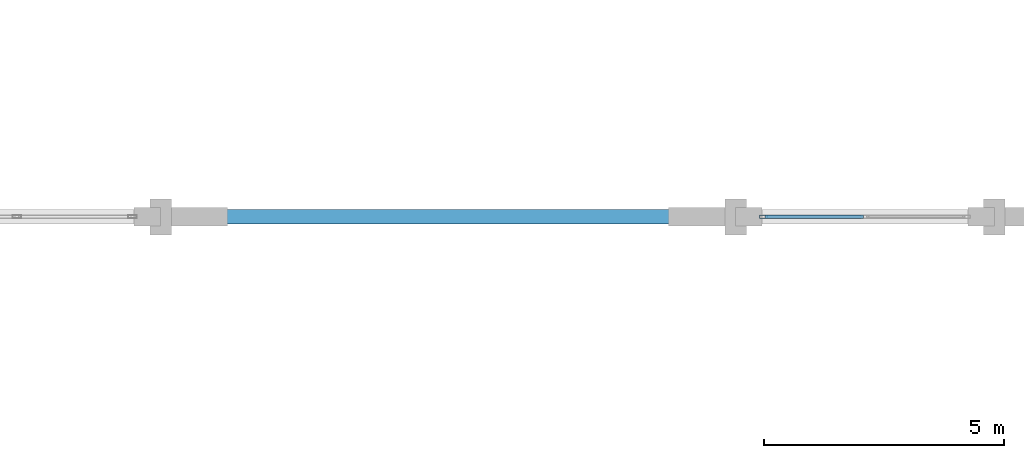
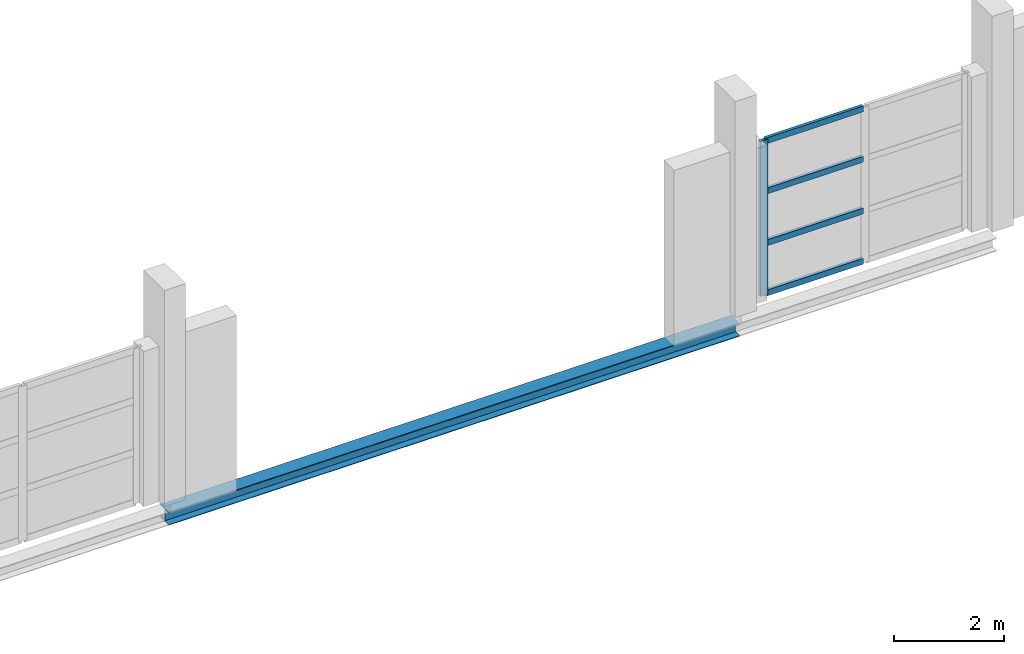
# One storey, part 22 of 86: 5 members, 1 beam, 1 element without a shape of its own.
"""IFC4 building model written with IfcOpenShell, lengths in metres."""

from ifc_helpers import new_model, si_unit, direction, frame, origin, origin_2d, place, context, subcontext, project, spatial, hollow_rectangle, i_section, extrude, material, layer, layer_set, material_profile, profile_set, type_object, element, aggregate, save


model = new_model("IFC4")

# Units and contexts
model_context = context("Model", 3, precision=1e-05, world=origin(), true_north=direction((0.0, 1.0)))
body_context = subcontext(model_context, "Body", "Model", "MODEL_VIEW")
ifc_project = project(units=[si_unit("LENGTHUNIT", "METRE"), si_unit("AREAUNIT", "SQUARE_METRE"), si_unit("VOLUMEUNIT", "CUBIC_METRE"), si_unit("PLANEANGLEUNIT", "RADIAN"), si_unit("MASSUNIT", "GRAM", prefix="KILO")], contexts=[model_context])

# Site, building, storey
site_placement = place(None, origin())
site = spatial("IfcSite", under=ifc_project, at=site_placement, CompositionType="ELEMENT")
building_placement = place(site_placement, origin())
building = spatial("IfcBuilding", under=site, at=building_placement, Name="Zilviju Railside Exhibition Hall", CompositionType="ELEMENT")
storey_placement = place(building_placement, frame((0.0, 0.0, 12.60009765625)))
storey = spatial("IfcBuildingStorey", under=building, at=storey_placement, Name="L04", CompositionType="ELEMENT", Elevation=12.60009765625)

# Beam
ifc_material_1 = material(Name="Steel S355J2", Category="steel")
ifc_material_profile_1 = material_profile(ifc_material_1, i_section(OverallWidth=0.300048828125, OverallDepth=0.2900390625, WebThickness=0.008544921875, FlangeThickness=0.013916015625, at=origin_2d()), Name="HEA 300")
ifc_profile_set_1 = profile_set([ifc_material_profile_1], Name="Steel S355J2")
beam_type = type_object("IfcBeamType", Name="BM-HEA300", PredefinedType="SPANDREL", material=ifc_profile_set_1)
beam_placement = place(storey_placement, frame((108.0, 84.0, -0.485107421875), z_axis=(1.0, 0.0, 0.0), x_axis=(0.0, 1.0, 0.0)))
element("IfcBeam", 1, at=beam_placement, inside=storey, type_object=beam_type, Name="Primary Girder L04 Y=84.0 (108.0..120.0)", PredefinedType="SPANDREL", context=body_context, shape_type="SweptSolid", body=[
    extrude(i_section(OverallWidth=0.300048828125, OverallDepth=0.2900390625, WebThickness=0.008544921875, FlangeThickness=0.013916015625, at=origin_2d()), origin(), (0.0, 0.0, 1.0), 12.0),
])

# Curtain wall, members
ifc_material_2 = material(Name="Thermally broken aluminium-steel triple-glazed curtain wall", Category="steel")
ifc_layer = layer(ifc_material_2, 0.179931640625)
ifc_layer_set = layer_set([ifc_layer], Name="Thermally broken aluminium-steel triple-glazed curtain wall")
curtain_wall_type = type_object("IfcCurtainWallType", Name="CW-BAY-12", PredefinedType="USERDEFINED", material=ifc_layer_set)
curtain_wall_placement = place(storey_placement, origin())
curtain_wall = element("IfcCurtainWall", 2, at=curtain_wall_placement, inside=storey, type_object=curtain_wall_type, Name="North Hall Garden Court Curtain Wall L04 (120..125)", ObjectType="GLAZED CURTAIN WALL", PredefinedType="USERDEFINED")
ifc_material_3 = material(Name="Thermally broken anodized aluminium mullion", Category="aluminium")
ifc_material_profile_2 = material_profile(ifc_material_3, hollow_rectangle(XDim=0.06494140625, YDim=0.159912109375, WallThickness=0.0048828125, at=origin_2d()), Name="MULLION 160x65x5")
ifc_profile_set_2 = profile_set([ifc_material_profile_2], Name="Thermally broken anodized aluminium mullion")
member_type_1 = type_object("IfcMemberType", Name="CWM-65x160", PredefinedType="MULLION", material=ifc_profile_set_2)
member_1_placement = place(storey_placement, frame((120.58251953125, 84.0, 0.0), z_axis=(0.0, 0.0, 1.0), x_axis=(0.0, -1.0, 0.0)))
member_1 = element("IfcMember", 3, at=member_1_placement, type_object=member_type_1, Name="CW-12 mullion 3", PredefinedType="MULLION", context=body_context, shape_type="SweptSolid", body=[
    extrude(hollow_rectangle(XDim=0.06494140625, YDim=0.159912109375, WallThickness=0.0048828125, at=origin_2d()), origin(), (0.0, 0.0, 1.0), 3.449951171875),
])
ifc_material_4 = material(Name="Thermally broken anodized aluminium transom", Category="aluminium")
ifc_material_profile_3 = material_profile(ifc_material_4, hollow_rectangle(XDim=0.06494140625, YDim=0.1298828125, WallThickness=0.0048828125, at=origin_2d()), Name="TRANSOM 130x65x5")
ifc_profile_set_3 = profile_set([ifc_material_profile_3], Name="Thermally broken anodized aluminium transom")
member_type_2 = type_object("IfcMemberType", Name="CWT-65x130", PredefinedType="USERDEFINED", material=ifc_profile_set_3)
member_2_placement = place(storey_placement, frame((122.66748046875, 84.0, 0.032470703125), z_axis=(-1.0, 0.0, 0.0), x_axis=(0.0, -1.0, 0.0)))
member_2 = element("IfcMember", 4, at=member_2_placement, type_object=member_type_2, Name="CW-12 transom 2.1", ObjectType="TRANSOM", PredefinedType="USERDEFINED", context=body_context, shape_type="SweptSolid", body=[
    extrude(hollow_rectangle(XDim=0.06494140625, YDim=0.1298828125, WallThickness=0.0048828125, at=origin_2d()), origin(), (0.0, 0.0, 1.0), 2.052490234375),
])
member_3_placement = place(storey_placement, frame((122.66748046875, 84.0, 1.14990234375), z_axis=(-1.0, 0.0, 0.0), x_axis=(0.0, -1.0, 0.0)))
member_3 = element("IfcMember", 5, at=member_3_placement, type_object=member_type_2, Name="CW-12 transom 2.2", ObjectType="TRANSOM", PredefinedType="USERDEFINED", context=body_context, shape_type="SweptSolid", body=[
    extrude(hollow_rectangle(XDim=0.06494140625, YDim=0.1298828125, WallThickness=0.0048828125, at=origin_2d()), origin(), (0.0, 0.0, 1.0), 2.052490234375),
])
member_4_placement = place(storey_placement, frame((122.66748046875, 84.0, 2.2998046875), z_axis=(-1.0, 0.0, 0.0), x_axis=(0.0, -1.0, 0.0)))
member_4 = element("IfcMember", 6, at=member_4_placement, type_object=member_type_2, Name="CW-12 transom 2.3", ObjectType="TRANSOM", PredefinedType="USERDEFINED", context=body_context, shape_type="SweptSolid", body=[
    extrude(hollow_rectangle(XDim=0.06494140625, YDim=0.1298828125, WallThickness=0.0048828125, at=origin_2d()), origin(), (0.0, 0.0, 1.0), 2.052490234375),
])
member_5_placement = place(storey_placement, frame((122.66748046875, 84.0, 3.41748046875), z_axis=(-1.0, 0.0, 0.0), x_axis=(0.0, -1.0, 0.0)))
member_5 = element("IfcMember", 7, at=member_5_placement, type_object=member_type_2, Name="CW-12 transom 2.4", ObjectType="TRANSOM", PredefinedType="USERDEFINED", context=body_context, shape_type="SweptSolid", body=[
    extrude(hollow_rectangle(XDim=0.06494140625, YDim=0.1298828125, WallThickness=0.0048828125, at=origin_2d()), origin(), (0.0, 0.0, 1.0), 2.052490234375),
])
aggregate(curtain_wall, [member_1, member_2, member_3, member_4, member_5])

save(model, "model.ifc")
